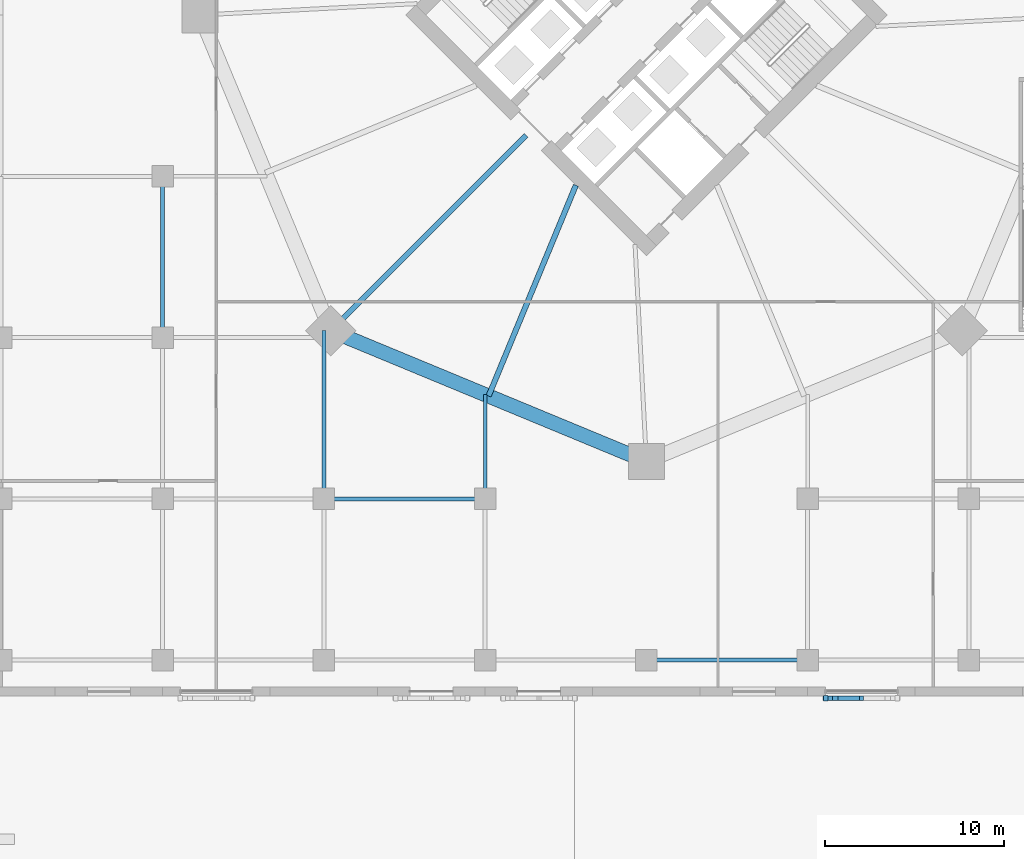
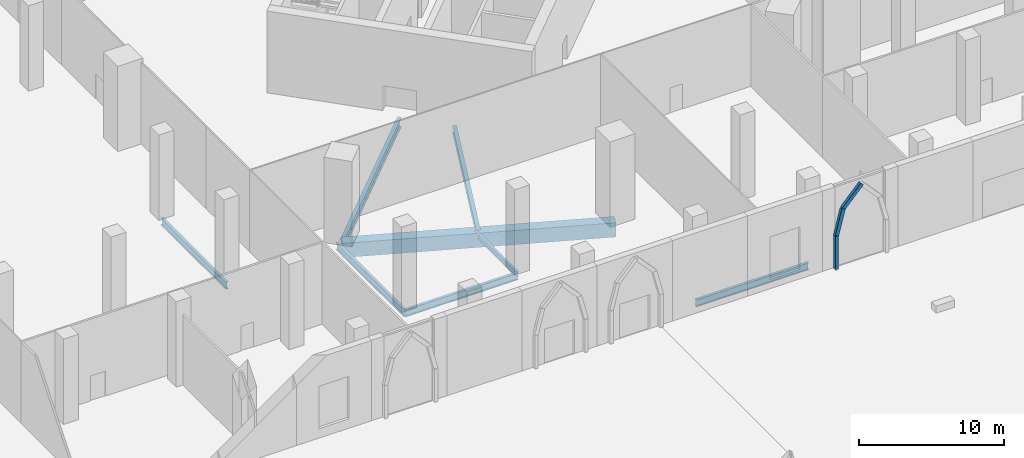
# One storey, part 11 of 48: 8 beams, 3 members.
"""IFC4 building model written with IfcOpenShell, lengths in metres."""

from ifc_helpers import new_model, si_unit, direction, frame, origin, origin_2d, place, context, subcontext, project, spatial, rectangle, hollow_rectangle, i_section, extrude, material, material_profile, profile_set, type_object, element, save


model = new_model("IFC4")

# Units and contexts
model_context = context("Model", 3, precision=1e-05, world=origin(), true_north=direction((0.0, 1.0)))
body_context = subcontext(model_context, "Body", "Model", "MODEL_VIEW")
ifc_project = project(units=[si_unit("LENGTHUNIT", "METRE"), si_unit("AREAUNIT", "SQUARE_METRE"), si_unit("VOLUMEUNIT", "CUBIC_METRE"), si_unit("PLANEANGLEUNIT", "RADIAN"), si_unit("MASSUNIT", "GRAM", prefix="KILO")], contexts=[model_context])

# Site, building, storey
site_placement = place(None, origin())
site = spatial("IfcSite", under=ifc_project, at=site_placement, CompositionType="ELEMENT")
building_placement = place(site_placement, origin())
building = spatial("IfcBuilding", under=site, at=building_placement, Name="Ogive Gate Towers", CompositionType="ELEMENT")
storey_placement = place(building_placement, origin())
storey = spatial("IfcBuildingStorey", under=building, at=storey_placement, Name="L00", CompositionType="ELEMENT", Elevation=0.0)

# Members
ifc_material_1 = material(Name="Precast concrete C40/50", Category="concrete")
ifc_material_profile_1 = material_profile(ifc_material_1, rectangle(XDim=0.25, YDim=0.300048828125, at=origin_2d()), Name="250 x 300 cast stone")
ifc_profile_set_1 = profile_set([ifc_material_profile_1], Name="Precast concrete C40/50")
member_type = type_object("IfcMemberType", Name="Arch rib 250 x 300", PredefinedType="USERDEFINED", material=ifc_profile_set_1)
member_placement = place(storey_placement, frame((46.0, -38.125, 0.0), z_axis=(0.0, 0.0, 1.0), x_axis=(1.0, 0.0, 0.0)))
element("IfcMember", 1, at=member_placement, inside=storey, type_object=member_type, Name="Arcade arch rib", ObjectType="ARCH RIB", PredefinedType="USERDEFINED", context=body_context, shape_type="SweptSolid", body=[
    extrude(rectangle(XDim=0.25, YDim=0.300048828125, at=origin_2d()), origin(), (0.0, 0.0, 1.0), 2.89990234375),
])
for number, where, z_axis, x_axis, name in (
    (2, (46.0, -38.125, 2.89990234375), (0.245931792163, 0.0, 0.969287136819), (0.0, 1.0, 0.0), "Arcade arch rib"),
    (3, (46.5322265625, -38.125, 4.99755859375), (0.678223875113, 0.0, 0.734855343062), (0.0, 1.0, 0.0), "Arcade arch rib"),
):
    element("IfcMember", number, at=place(storey_placement, frame(where, z_axis=z_axis, x_axis=x_axis)), inside=storey, type_object=member_type, Name=name, ObjectType="ARCH RIB", PredefinedType="USERDEFINED", context=body_context, shape_type="SweptSolid", body=[
        extrude(rectangle(XDim=0.25, YDim=0.300048828125, at=origin_2d()), origin(), (0.0, 0.0, 1.0), 2.1640625),
    ])

# Beams
ifc_material_2 = material(Name="Steel SM460", Category="steel")
ifc_material_profile_2 = material_profile(ifc_material_2, hollow_rectangle(XDim=0.800048828125, YDim=1.199951171875, WallThickness=0.050048828125, at=origin_2d()), Name="BX 1200x800x50")
ifc_profile_set_2 = profile_set([ifc_material_profile_2], Name="Steel SM460")
beam_type_1 = type_object("IfcBeamType", Name="Edge girder BX 1200x800x50", PredefinedType="BEAM", material=ifc_profile_set_2)
beam_1_placement = place(storey_placement, frame((18.385986328125, -17.614013671875, -0.89990234375), z_axis=(0.923880736283, -0.382680526191, 0.0), x_axis=(0.382680526191, 0.923880736283, 0.0)))
element("IfcBeam", 4, at=beam_1_placement, inside=storey, type_object=beam_type_1, Name="T2/L00/SBM017", PredefinedType="BEAM", context=body_context, shape_type="SweptSolid", body=[
    extrude(hollow_rectangle(XDim=0.800048828125, YDim=1.199951171875, WallThickness=0.050048828125, at=origin_2d()), origin(), (0.0, 0.0, 1.0), 19.065185546875),
])
ifc_material_3 = material(Name="Steel SM355", Category="steel")
ifc_material_profile_3 = material_profile(ifc_material_3, i_section(OverallWidth=0.18994140625, OverallDepth=0.449951171875, WebThickness=0.009521484375, FlangeThickness=0.0146484375, FilletRadius=0.02099609375, at=origin_2d()), Name="IPE 450")
ifc_profile_set_3 = profile_set([ifc_material_profile_3], Name="Steel SM355")
beam_type_2 = type_object("IfcBeamType", Name="Floor beam IPE 450", PredefinedType="BEAM", material=ifc_profile_set_3)
beam_2_placement = place(storey_placement, frame((27.0, -27.0, -0.52490234375), z_axis=(0.0, 1.0, 0.0), x_axis=(-1.0, 0.0, 0.0)))
element("IfcBeam", 5, at=beam_2_placement, inside=storey, type_object=beam_type_2, Name="PD/L00/SBM163", PredefinedType="BEAM", context=body_context, shape_type="SweptSolid", body=[
    extrude(i_section(OverallWidth=0.18994140625, OverallDepth=0.449951171875, WebThickness=0.009521484375, FlangeThickness=0.0146484375, FilletRadius=0.02099609375, at=origin_2d()), origin(), (0.0, 0.0, 1.0), 5.81787109375),
])
ifc_material_profile_4 = material_profile(ifc_material_3, i_section(OverallWidth=0.219970703125, OverallDepth=0.60009765625, WebThickness=0.011962890625, FlangeThickness=0.01904296875, FilletRadius=0.02392578125, at=origin_2d()), Name="IPE 600")
ifc_profile_set_4 = profile_set([ifc_material_profile_4], Name="Steel SM355")
beam_type_3 = type_object("IfcBeamType", Name="Floor beam IPE 600", PredefinedType="BEAM", material=ifc_profile_set_4)
beam_3_placement = place(storey_placement, frame((9.0, -18.0, -0.60009765625), z_axis=(0.0, 1.0, 0.0), x_axis=(-1.0, 0.0, 0.0)))
element("IfcBeam", 6, at=beam_3_placement, inside=storey, type_object=beam_type_3, Name="PD/L00/SBM043", PredefinedType="BEAM", context=body_context, shape_type="SweptSolid", body=[
    extrude(i_section(OverallWidth=0.219970703125, OverallDepth=0.60009765625, WebThickness=0.011962890625, FlangeThickness=0.01904296875, FilletRadius=0.02392578125, at=origin_2d()), origin(), (0.0, 0.0, 1.0), 9.0),
])
beam_4_placement = place(storey_placement, frame((18.0, -27.0, -0.60009765625), z_axis=(0.0, 1.0, 0.0), x_axis=(-1.0, 0.0, 0.0)))
element("IfcBeam", 7, at=beam_4_placement, inside=storey, type_object=beam_type_3, Name="PD/L00/SBM048", PredefinedType="BEAM", context=body_context, shape_type="SweptSolid", body=[
    extrude(i_section(OverallWidth=0.219970703125, OverallDepth=0.60009765625, WebThickness=0.011962890625, FlangeThickness=0.01904296875, FilletRadius=0.02392578125, at=origin_2d()), origin(), (0.0, 0.0, 1.0), 9.385986328125),
])
for number, where, z_axis, x_axis, name in (
    (8, (36.0, -36.0, -0.60009765625), (1.0, 0.0, 0.0), (0.0, 1.0, 0.0), "PD/L00/SBM085"),
    (9, (18.0, -27.0, -0.60009765625), (1.0, 0.0, 0.0), (0.0, 1.0, 0.0), "PD/L00/SBM097"),
):
    element("IfcBeam", number, at=place(storey_placement, frame(where, z_axis=z_axis, x_axis=x_axis)), inside=storey, type_object=beam_type_3, Name=name, PredefinedType="BEAM", context=body_context, shape_type="SweptSolid", body=[
        extrude(i_section(OverallWidth=0.219970703125, OverallDepth=0.60009765625, WebThickness=0.011962890625, FlangeThickness=0.01904296875, FilletRadius=0.02392578125, at=origin_2d()), origin(), (0.0, 0.0, 1.0), 9.0),
    ])
ifc_material_profile_5 = material_profile(ifc_material_3, i_section(OverallWidth=0.300048828125, OverallDepth=0.590087890625, WebThickness=0.012939453125, FlangeThickness=0.02490234375, FilletRadius=0.027099609375, at=origin_2d()), Name="HE 600 A")
ifc_profile_set_5 = profile_set([ifc_material_profile_5], Name="Steel SM355")
beam_type_4 = type_object("IfcBeamType", Name="Radial floor beam HE 600 A", PredefinedType="BEAM", material=ifc_profile_set_5)
beam_5_placement = place(storey_placement, frame((32.06494140625, -9.5, -0.594970703125), z_axis=(-0.382690523214, -0.923876595354, 0.0), x_axis=(0.923876595354, -0.382690523214, 0.0)))
element("IfcBeam", 10, at=beam_5_placement, inside=storey, type_object=beam_type_4, Name="T2/L00/SBM002", PredefinedType="BEAM", context=body_context, shape_type="SweptSolid", body=[
    extrude(i_section(OverallWidth=0.300048828125, OverallDepth=0.590087890625, WebThickness=0.012939453125, FlangeThickness=0.02490234375, FilletRadius=0.027099609375, at=origin_2d()), origin(), (0.0, 0.0, 1.0), 12.731201171875),
])
ifc_material_profile_6 = material_profile(ifc_material_3, i_section(OverallWidth=0.300048828125, OverallDepth=0.7900390625, WebThickness=0.014892578125, FlangeThickness=0.028076171875, FilletRadius=0.030029296875, at=origin_2d()), Name="HE 800 A")
ifc_profile_set_6 = profile_set([ifc_material_profile_6], Name="Steel SM355")
beam_type_5 = type_object("IfcBeamType", Name="Radial floor beam HE 800 A", PredefinedType="BEAM", material=ifc_profile_set_6)
beam_6_placement = place(storey_placement, frame((29.282470703125, -6.717529296875, -0.695068359375), z_axis=(-0.707106781187, -0.707106781187, 0.0), x_axis=(0.707106781187, -0.707106781187, 0.0)))
element("IfcBeam", 11, at=beam_6_placement, inside=storey, type_object=beam_type_5, Name="T2/L00/SBM001", PredefinedType="BEAM", context=body_context, shape_type="SweptSolid", body=[
    extrude(i_section(OverallWidth=0.300048828125, OverallDepth=0.7900390625, WebThickness=0.014892578125, FlangeThickness=0.028076171875, FilletRadius=0.030029296875, at=origin_2d()), origin(), (0.0, 0.0, 1.0), 15.409912109375),
])

save(model, "model.ifc")
